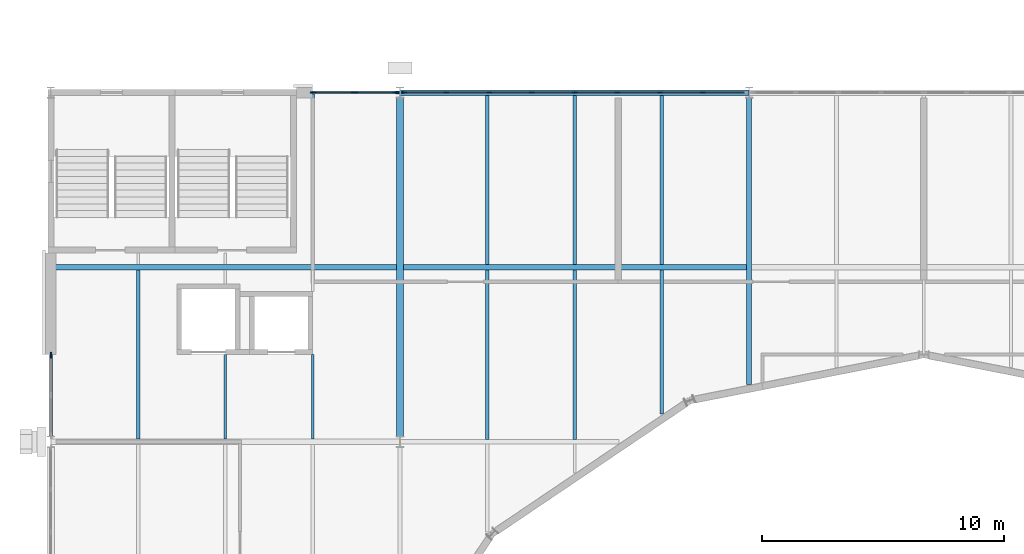
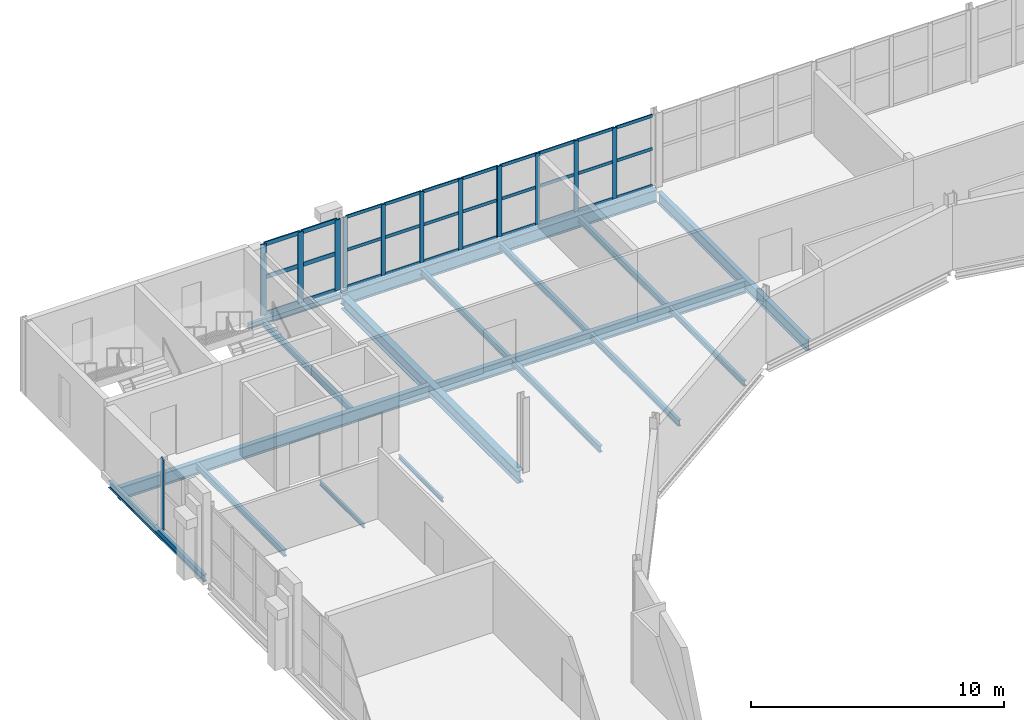
# One storey, part 40 of 124: 43 members, 17 beams, 4 elements without a shape of their own.
"""IFC4 building model written with IfcOpenShell, lengths in metres."""

import ifcopenshell
import ifcopenshell.guid

model = None  # the IFC model being written
_history = None  # IfcOwnerHistory: only IFC2X3 demands one
_inside = {}  # id of a spatial element -> (the spatial element, [elements in it])
_under = {}  # id of a project, library or spatial element -> (it, [spatial elements below it])
_declared = {}  # id of a project -> (the project, [libraries it declares])
_typed = {}  # id of a type object -> (the type object, [elements of that type])
_made_of = {}  # id of a material, layer set ... -> (it, [elements and type objects made of it])


def new_model(schema):
    """Start an empty IFC model of exactly this schema.

    Asked for "IFC4X3", IfcOpenShell would pick the latest addendum, in which some entities
    have other attributes; the version numbers below select the first issue.
    IFC2X3 requires an IfcOwnerHistory on every rooted entity: one is made here for all.
    """
    global model, _history
    if schema == "IFC4X3":
        model = ifcopenshell.file(schema_version=(4, 3, 0, 0))
    else:
        model = ifcopenshell.file(schema=schema)
    _inside.clear()
    _under.clear()
    _declared.clear()
    _typed.clear()
    _made_of.clear()
    _history = None
    if model.schema == "IFC2X3":
        org = make("IfcOrganization", Name="unknown")
        user = make(
            "IfcPersonAndOrganization",
            ThePerson=make("IfcPerson", FamilyName="unknown"),
            TheOrganization=org,
        )
        app = make(
            "IfcApplication",
            ApplicationDeveloper=org,
            Version="unknown",
            ApplicationFullName="unknown",
            ApplicationIdentifier="unknown",
        )
        _history = make(
            "IfcOwnerHistory",
            OwningUser=user,
            OwningApplication=app,
            ChangeAction="ADDED",
            CreationDate=0,
        )
    return model


def make(cls, **values):
    """One entity of the class cls with the attributes given. An attribute that is None is left unset."""
    return model.create_entity(
        cls, **{name: value for name, value in values.items() if value is not None}
    )


def rooted(cls, **values):
    """An entity with a GlobalId (a new one), such as an element, a storey or a relation."""
    return make(cls, GlobalId=ifcopenshell.guid.new(), OwnerHistory=_history, **values)


def si_unit(unit_type, name, prefix=None):
    """IfcSIUnit, for example si_unit("LENGTHUNIT", "METRE", prefix="MILLI")."""
    return make("IfcSIUnit", UnitType=unit_type, Prefix=prefix, Name=name)


def assignment(units):
    """IfcUnitAssignment: the units of a project."""
    return None if units is None else make("IfcUnitAssignment", Units=units)


def point(xyz):
    """IfcCartesianPoint."""
    return None if xyz is None else make("IfcCartesianPoint", Coordinates=xyz)


def direction(xyz):
    """IfcDirection."""
    return None if xyz is None else make("IfcDirection", DirectionRatios=xyz)


def frame(location, z_axis=None, x_axis=None):
    """IfcAxis2Placement3D, a coordinate frame: its origin and axes. An axis left out is left unset."""
    return make(
        "IfcAxis2Placement3D",
        Location=point(location),
        Axis=direction(z_axis),
        RefDirection=direction(x_axis),
    )


def frame_2d(location, x_axis=None):
    """IfcAxis2Placement2D, a coordinate frame in the plane: its origin and x axis."""
    return make(
        "IfcAxis2Placement2D", Location=point(location), RefDirection=direction(x_axis)
    )


def origin():
    """The frame at (0, 0, 0) with its axes left unset."""
    return frame((0.0, 0.0, 0.0))


def origin_2d():
    """The frame at (0, 0) in the plane with its x axis left unset."""
    return frame_2d((0.0, 0.0))


def place(relative_to, where):
    """IfcLocalPlacement: puts the frame where relative to a parent placement (None: the world)."""
    return make(
        "IfcLocalPlacement", PlacementRelTo=relative_to, RelativePlacement=where
    )


def context(
    kind, dimensions, precision=None, world=None, true_north=None, identifier=None
):
    """IfcGeometricRepresentationContext, for example the 3D "Model" context."""
    return make(
        "IfcGeometricRepresentationContext",
        ContextIdentifier=identifier,
        ContextType=kind,
        CoordinateSpaceDimension=dimensions,
        Precision=precision,
        WorldCoordinateSystem=world,
        TrueNorth=true_north,
    )


def subcontext(parent, identifier, kind, view, scale=None):
    """IfcGeometricRepresentationSubContext, for example "Body" below "Model"."""
    return make(
        "IfcGeometricRepresentationSubContext",
        ContextIdentifier=identifier,
        ContextType=kind,
        ParentContext=parent,
        TargetScale=scale,
        TargetView=view,
    )


def project(units=None, contexts=None):
    """IfcProject with its units and contexts."""
    return rooted(
        "IfcProject",
        Name="project",
        RepresentationContexts=contexts,
        UnitsInContext=assignment(units),
    )


def spatial(cls, under=None, at=None, **own):
    """A site, building, storey or space (cls), placed at a placement, below another one or the project."""
    s = rooted(cls, ObjectPlacement=at, **own)
    if under is not None:
        _under.setdefault(under.id(), (under, []))[1].append(s)
    return s


def profile(cls, at=None, kind="AREA", **sizes):
    """A parametric profile (cls). Its sizes go by their IFC names, for example OverallWidth=200.0."""
    return make(cls, ProfileType=kind, Position=at, **sizes)


def rectangle(**sizes):
    """IfcRectangleProfileDef."""
    return profile("IfcRectangleProfileDef", **sizes)


def i_section(**sizes):
    """IfcIShapeProfileDef."""
    return profile("IfcIShapeProfileDef", **sizes)


def extrude(swept, where, along, depth):
    """IfcExtrudedAreaSolid: the profile swept, set in the frame where, extruded along a direction by depth."""
    return make(
        "IfcExtrudedAreaSolid",
        SweptArea=swept,
        Position=where,
        ExtrudedDirection=direction(along),
        Depth=depth,
    )


def shape(context_of_items, identifier, shape_type, items):
    """IfcShapeRepresentation: the items that make up one representation, for example the "Body"."""
    return make(
        "IfcShapeRepresentation",
        ContextOfItems=context_of_items,
        RepresentationIdentifier=identifier,
        RepresentationType=shape_type,
        Items=items,
    )


def material(Name=None, Category=None):
    """IfcMaterial."""
    return make("IfcMaterial", Name=Name, Category=Category)


def material_profile(
    of_material, cross_section, Name=None, Category=None, Priority=None
):
    """IfcMaterialProfile: a cross section and its material."""
    return make(
        "IfcMaterialProfile",
        Name=Name,
        Material=of_material,
        Profile=cross_section,
        Priority=Priority,
        Category=Category,
    )


def profile_set(profiles, Name=None, composite=None):
    """IfcMaterialProfileSet."""
    return make(
        "IfcMaterialProfileSet",
        Name=Name,
        MaterialProfiles=profiles,
        CompositeProfile=composite,
    )


def made_of(thing, what):
    """Note that an element or type object is made of a material, layer set ...; save() writes the relation."""
    if what is not None:
        _made_of.setdefault(what.id(), (what, []))[1].append(thing)
    return thing


def type_object(cls, material=None, **own):
    """A type object (cls), such as IfcWallType, which elements share."""
    return made_of(rooted(cls, **own), material)


def element(
    cls,
    number,
    at=None,
    inside=None,
    cuts=None,
    type_object=None,
    material=None,
    context=None,
    identifier="Body",
    shape_type=None,
    held_by="IfcProductDefinitionShape",
    body=None,
    shapes=None,
    **own,
):
    """One element of the class cls, such as IfcWall. Its Tag is "e" and its number.

    at: its placement. inside: the storey or other place that contains it. cuts: it is an
    opening in that element (IfcRelVoidsElement). A single representation is given by context,
    identifier, shape_type and body (its items); several are given by shapes. held_by: the class
    of the entity that holds the representations. save() writes the other relations.
    """
    e = rooted(cls, Tag="e%d" % number, ObjectPlacement=at, **own)
    if body is not None:
        shapes = [shape(context, identifier, shape_type, body)]
    if shapes is not None:
        e.Representation = make(held_by, Representations=shapes)
    if inside is not None:
        _inside.setdefault(inside.id(), (inside, []))[1].append(e)
    if cuts is not None:
        rooted(
            "IfcRelVoidsElement", RelatingBuildingElement=cuts, RelatedOpeningElement=e
        )
    if type_object is not None:
        _typed.setdefault(type_object.id(), (type_object, []))[1].append(e)
    return made_of(e, material)


def aggregate(whole, parts):
    """IfcRelAggregates: a whole, such as a stair, and the parts it consists of."""
    return rooted("IfcRelAggregates", RelatingObject=whole, RelatedObjects=parts)


def save(model, path):
    """Write the relations noted so far, then the file.

    IfcRelAggregates (storeys below a building ...), IfcRelContainedInSpatialStructure (elements
    in a storey), IfcRelDefinesByType, IfcRelAssociatesMaterial and IfcRelDeclares: one each for
    every whole, place, type object, material and project.
    """
    for whole, parts in _under.values():
        aggregate(whole, parts)
    for where, things in _inside.values():
        rooted(
            "IfcRelContainedInSpatialStructure",
            RelatedElements=things,
            RelatingStructure=where,
        )
    for kind, things in _typed.values():
        rooted("IfcRelDefinesByType", RelatedObjects=things, RelatingType=kind)
    for what, things in _made_of.values():
        rooted("IfcRelAssociatesMaterial", RelatedObjects=things, RelatingMaterial=what)
    for by, libraries in _declared.values():
        rooted("IfcRelDeclares", RelatingContext=by, RelatedDefinitions=libraries)
    model.write(path)


model = new_model("IFC4")

# Units and contexts
model_context = context("Model", 3, precision=1e-05, world=origin(), true_north=direction((0.0, 1.0)))
body_context = subcontext(model_context, "Body", "Model", "MODEL_VIEW")
ifc_project = project(units=[si_unit("LENGTHUNIT", "METRE"), si_unit("AREAUNIT", "SQUARE_METRE"), si_unit("VOLUMEUNIT", "CUBIC_METRE"), si_unit("PLANEANGLEUNIT", "RADIAN"), si_unit("MASSUNIT", "GRAM", prefix="KILO")], contexts=[model_context])

# Site, building, storey
site_placement = place(None, origin())
site = spatial("IfcSite", under=ifc_project, at=site_placement, CompositionType="ELEMENT")
building_placement = place(site_placement, origin())
building = spatial("IfcBuilding", under=site, at=building_placement, Name="Kupolbacken Congress Centre", CompositionType="ELEMENT")
storey_placement = place(building_placement, frame((0.0, 0.0, 10.800048828125)))
storey = spatial("IfcBuildingStorey", under=building, at=storey_placement, Name="L03", CompositionType="ELEMENT", Elevation=10.800048828125)

# Beams
ifc_material_1 = material(Name="Steel S355", Category="steel")
ifc_material_profile_1 = material_profile(ifc_material_1, i_section(OverallWidth=0.10009765625, OverallDepth=0.199951171875, WebThickness=0.005615234375, FlangeThickness=0.008544921875, FilletRadius=0.011962890625, at=origin_2d()), Name="IPE 200")
ifc_profile_set_1 = profile_set([ifc_material_profile_1], Name="Steel S355")
beam_type_1 = type_object("IfcBeamType", Name="B01 beam IPE 200", PredefinedType="BEAM", material=ifc_profile_set_1)
for number, where, z_axis, x_axis, name in (
    (1, (14.39990234375, 108.110107421875, -0.280029296875), (0.0, 1.0, 0.0), (-1.0, 0.0, 0.0), "S/floor/P/L03/S093"),
    (2, (18.0, 108.110107421875, -0.280029296875), (0.0, 1.0, 0.0), (-1.0, 0.0, 0.0), "S/floor/P/L03/S170"),
):
    element("IfcBeam", number, at=place(storey_placement, frame(where, z_axis=z_axis, x_axis=x_axis)), inside=storey, type_object=beam_type_1, Name=name, PredefinedType="BEAM", context=body_context, shape_type="SweptSolid", body=[
        extrude(i_section(OverallWidth=0.10009765625, OverallDepth=0.199951171875, WebThickness=0.005615234375, FlangeThickness=0.008544921875, FilletRadius=0.011962890625, at=origin_2d()), origin(), (0.0, 0.0, 1.0), 3.489990234375),
    ])
ifc_material_2 = material(Name="Steel S355", Category="steel")
ifc_material_profile_2 = material_profile(ifc_material_2, i_section(OverallWidth=0.135009765625, OverallDepth=0.27001953125, WebThickness=0.006591796875, FlangeThickness=0.01025390625, FilletRadius=0.014892578125, at=origin_2d()), Name="IPE 270")
ifc_profile_set_2 = profile_set([ifc_material_profile_2], Name="Steel S355")
beam_type_2 = type_object("IfcBeamType", Name="B03 beam IPE 270", PredefinedType="BEAM", material=ifc_profile_set_2)
beam_1_placement = place(storey_placement, frame((17.324951171875, 122.39990234375, -0.31494140625), z_axis=(1.0, 0.0, 0.0), x_axis=(0.0, 1.0, 0.0)))
element("IfcBeam", 3, at=beam_1_placement, inside=storey, type_object=beam_type_2, Name="S/floor/P/L03/R070", PredefinedType="BEAM", context=body_context, shape_type="SweptSolid", body=[
    extrude(i_section(OverallWidth=0.135009765625, OverallDepth=0.27001953125, WebThickness=0.006591796875, FlangeThickness=0.01025390625, FilletRadius=0.014892578125, at=origin_2d()), origin(), (0.0, 0.0, 1.0), 4.26806640625),
])
beam_2_placement = place(storey_placement, frame((32.39990234375, 109.150390625, -0.31494140625), z_axis=(0.0, 1.0, 0.0), x_axis=(-1.0, 0.0, 0.0)))
element("IfcBeam", 4, at=beam_2_placement, inside=storey, type_object=beam_type_2, Name="S/floor/P/L03/S110", PredefinedType="BEAM", context=body_context, shape_type="SweptSolid", body=[
    extrude(i_section(OverallWidth=0.135009765625, OverallDepth=0.27001953125, WebThickness=0.006591796875, FlangeThickness=0.01025390625, FilletRadius=0.014892578125, at=origin_2d()), origin(), (0.0, 0.0, 1.0), 5.939697265625),
])
ifc_material_3 = material(Name="Steel S355", Category="steel")
ifc_material_profile_3 = material_profile(ifc_material_3, i_section(OverallWidth=0.14990234375, OverallDepth=0.300048828125, WebThickness=0.007080078125, FlangeThickness=0.0107421875, FilletRadius=0.014892578125, at=origin_2d()), Name="IPE 300")
ifc_profile_set_3 = profile_set([ifc_material_profile_3], Name="Steel S355")
beam_type_3 = type_object("IfcBeamType", Name="B04 beam IPE 300", PredefinedType="BEAM", material=ifc_profile_set_3)
beam_3_placement = place(storey_placement, frame((10.800048828125, 108.110107421875, -0.330078125), z_axis=(0.0, 1.0, 0.0), x_axis=(-1.0, 0.0, 0.0)))
element("IfcBeam", 5, at=beam_3_placement, inside=storey, type_object=beam_type_3, Name="S/floor/P/L03/S083", PredefinedType="BEAM", context=body_context, shape_type="SweptSolid", body=[
    extrude(i_section(OverallWidth=0.14990234375, OverallDepth=0.300048828125, WebThickness=0.007080078125, FlangeThickness=0.0107421875, FilletRadius=0.014892578125, at=origin_2d()), origin(), (0.0, 0.0, 1.0), 6.97998046875),
])
beam_4_placement = place(storey_placement, frame((25.199951171875, 108.090087890625, -0.330078125), z_axis=(0.0, 1.0, 0.0), x_axis=(-1.0, 0.0, 0.0)))
element("IfcBeam", 6, at=beam_4_placement, inside=storey, type_object=beam_type_3, Name="S/floor/P/L03/S100", PredefinedType="BEAM", context=body_context, shape_type="SweptSolid", body=[
    extrude(i_section(OverallWidth=0.14990234375, OverallDepth=0.300048828125, WebThickness=0.007080078125, FlangeThickness=0.0107421875, FilletRadius=0.014892578125, at=origin_2d()), origin(), (0.0, 0.0, 1.0), 7.0),
])
beam_5_placement = place(storey_placement, frame((25.199951171875, 115.31005859375, -0.330078125), z_axis=(0.0, 1.0, 0.0), x_axis=(-1.0, 0.0, 0.0)))
element("IfcBeam", 7, at=beam_5_placement, inside=storey, type_object=beam_type_3, Name="S/floor/P/L03/S101", PredefinedType="BEAM", context=body_context, shape_type="SweptSolid", body=[
    extrude(i_section(OverallWidth=0.14990234375, OverallDepth=0.300048828125, WebThickness=0.007080078125, FlangeThickness=0.0107421875, FilletRadius=0.014892578125, at=origin_2d()), origin(), (0.0, 0.0, 1.0), 6.97998046875),
])
beam_6_placement = place(storey_placement, frame((28.800048828125, 108.090087890625, -0.330078125), z_axis=(0.0, 1.0, 0.0), x_axis=(-1.0, 0.0, 0.0)))
element("IfcBeam", 8, at=beam_6_placement, inside=storey, type_object=beam_type_3, Name="S/floor/P/L03/S106", PredefinedType="BEAM", context=body_context, shape_type="SweptSolid", body=[
    extrude(i_section(OverallWidth=0.14990234375, OverallDepth=0.300048828125, WebThickness=0.007080078125, FlangeThickness=0.0107421875, FilletRadius=0.014892578125, at=origin_2d()), origin(), (0.0, 0.0, 1.0), 7.0),
])
for number, where, z_axis, x_axis, name in (
    (9, (28.800048828125, 115.31005859375, -0.330078125), (0.0, 1.0, 0.0), (-1.0, 0.0, 0.0), "S/floor/P/L03/S107"),
    (10, (32.39990234375, 115.31005859375, -0.330078125), (0.0, 1.0, 0.0), (-1.0, 0.0, 0.0), "S/floor/P/L03/S111"),
):
    element("IfcBeam", number, at=place(storey_placement, frame(where, z_axis=z_axis, x_axis=x_axis)), inside=storey, type_object=beam_type_3, Name=name, PredefinedType="BEAM", context=body_context, shape_type="SweptSolid", body=[
        extrude(i_section(OverallWidth=0.14990234375, OverallDepth=0.300048828125, WebThickness=0.007080078125, FlangeThickness=0.0107421875, FilletRadius=0.014892578125, at=origin_2d()), origin(), (0.0, 0.0, 1.0), 6.97998046875),
    ])
beam_7_placement = place(storey_placement, frame((18.0, 115.31005859375, -0.330078125), z_axis=(0.0, 1.0, 0.0), x_axis=(-1.0, 0.0, 0.0)))
element("IfcBeam", 11, at=beam_7_placement, inside=storey, type_object=beam_type_3, Name="S/floor/P/L03/S172", PredefinedType="BEAM", context=body_context, shape_type="SweptSolid", body=[
    extrude(i_section(OverallWidth=0.14990234375, OverallDepth=0.300048828125, WebThickness=0.007080078125, FlangeThickness=0.0107421875, FilletRadius=0.014892578125, at=origin_2d()), origin(), (0.0, 0.0, 1.0), 7.0224609375),
])
ifc_material_4 = material(Name="Steel S355", Category="steel")
ifc_material_profile_4 = material_profile(ifc_material_4, i_section(OverallWidth=0.159912109375, OverallDepth=0.330078125, WebThickness=0.007568359375, FlangeThickness=0.011474609375, FilletRadius=0.01806640625, at=origin_2d()), Name="IPE 330")
ifc_profile_set_4 = profile_set([ifc_material_profile_4], Name="Steel S355")
beam_type_4 = type_object("IfcBeamType", Name="B05 beam IPE 330", PredefinedType="BEAM", material=ifc_profile_set_4)
beam_8_placement = place(storey_placement, frame((7.199951171875, 108.22509765625, -0.344970703125), z_axis=(0.0, 1.0, 0.0), x_axis=(-1.0, 0.0, 0.0)))
element("IfcBeam", 12, at=beam_8_placement, inside=storey, type_object=beam_type_4, Name="S/floor/P/L03/G021", PredefinedType="BEAM", context=body_context, shape_type="SweptSolid", body=[
    extrude(i_section(OverallWidth=0.159912109375, OverallDepth=0.330078125, WebThickness=0.007568359375, FlangeThickness=0.011474609375, FilletRadius=0.01806640625, at=origin_2d()), origin(), (0.0, 0.0, 1.0), 7.5498046875),
])
ifc_material_5 = material(Name="Steel S355", Category="steel")
ifc_material_profile_5 = material_profile(ifc_material_5, i_section(OverallWidth=0.2099609375, OverallDepth=0.550048828125, WebThickness=0.010986328125, FlangeThickness=0.01708984375, FilletRadius=0.02392578125, at=origin_2d()), Name="IPE 550")
ifc_profile_set_5 = profile_set([ifc_material_profile_5], Name="Steel S355")
beam_type_5 = type_object("IfcBeamType", Name="B10 beam IPE 550", PredefinedType="BEAM", material=ifc_profile_set_5)
beam_9_placement = place(storey_placement, frame((36.0, 110.35595703125, -0.455078125), z_axis=(0.0, 1.0, 0.0), x_axis=(-1.0, 0.0, 0.0)))
element("IfcBeam", 13, at=beam_9_placement, inside=storey, type_object=beam_type_5, Name="S/floor/P/L03/G026", PredefinedType="BEAM", context=body_context, shape_type="SweptSolid", body=[
    extrude(i_section(OverallWidth=0.2099609375, OverallDepth=0.550048828125, WebThickness=0.010986328125, FlangeThickness=0.01708984375, FilletRadius=0.02392578125, at=origin_2d()), origin(), (0.0, 0.0, 1.0), 11.819091796875),
])
ifc_material_6 = material(Name="Steel S355", Category="steel")
ifc_material_profile_6 = material_profile(ifc_material_6, i_section(OverallWidth=0.219970703125, OverallDepth=0.60009765625, WebThickness=0.011962890625, FlangeThickness=0.01904296875, FilletRadius=0.02392578125, at=origin_2d()), Name="IPE 600")
ifc_profile_set_6 = profile_set([ifc_material_profile_6], Name="Steel S355")
beam_type_6 = type_object("IfcBeamType", Name="B11 beam IPE 600", PredefinedType="BEAM", material=ifc_profile_set_6)
beam_10_placement = place(storey_placement, frame((7.280029296875, 115.199951171875, -0.47998046875), z_axis=(1.0, 0.0, 0.0), x_axis=(0.0, 1.0, 0.0)))
element("IfcBeam", 14, at=beam_10_placement, inside=storey, type_object=beam_type_6, Name="S/floor/P/L03/R065", PredefinedType="BEAM", context=body_context, shape_type="SweptSolid", body=[
    extrude(i_section(OverallWidth=0.219970703125, OverallDepth=0.60009765625, WebThickness=0.011962890625, FlangeThickness=0.01904296875, FilletRadius=0.02392578125, at=origin_2d()), origin(), (0.0, 0.0, 1.0), 14.169921875),
])
beam_11_placement = place(storey_placement, frame((21.75, 115.199951171875, -0.47998046875), z_axis=(1.0, 0.0, 0.0), x_axis=(0.0, 1.0, 0.0)))
element("IfcBeam", 15, at=beam_11_placement, inside=storey, type_object=beam_type_6, Name="S/floor/P/L03/R066", PredefinedType="BEAM", context=body_context, shape_type="SweptSolid", body=[
    extrude(i_section(OverallWidth=0.219970703125, OverallDepth=0.60009765625, WebThickness=0.011962890625, FlangeThickness=0.01904296875, FilletRadius=0.02392578125, at=origin_2d()), origin(), (0.0, 0.0, 1.0), 14.14501953125),
])
beam_12_placement = place(storey_placement, frame((21.60693359375, 122.39990234375, -0.47998046875), z_axis=(1.0, 0.0, 0.0), x_axis=(0.0, 1.0, 0.0)))
element("IfcBeam", 16, at=beam_12_placement, inside=storey, type_object=beam_type_6, Name="S/floor/P/L03/R071", PredefinedType="BEAM", context=body_context, shape_type="SweptSolid", body=[
    extrude(i_section(OverallWidth=0.219970703125, OverallDepth=0.60009765625, WebThickness=0.011962890625, FlangeThickness=0.01904296875, FilletRadius=0.02392578125, at=origin_2d()), origin(), (0.0, 0.0, 1.0), 14.385986328125),
])
ifc_material_7 = material(Name="Steel S355", Category="steel")
ifc_material_profile_7 = material_profile(ifc_material_7, i_section(OverallWidth=0.300048828125, OverallDepth=0.60009765625, WebThickness=0.015380859375, FlangeThickness=0.030029296875, FilletRadius=0.027099609375, at=origin_2d()), Name="HEB 600")
ifc_profile_set_7 = profile_set([ifc_material_profile_7], Name="Steel S355")
beam_type_7 = type_object("IfcBeamType", Name="B15 beam HEB 600", PredefinedType="BEAM", material=ifc_profile_set_7)
beam_13_placement = place(storey_placement, frame((21.60009765625, 108.22509765625, -0.47998046875), z_axis=(0.0, 1.0, 0.0), x_axis=(-1.0, 0.0, 0.0)))
element("IfcBeam", 17, at=beam_13_placement, inside=storey, type_object=beam_type_7, Name="S/floor/P/L03/G024", PredefinedType="BEAM", context=body_context, shape_type="SweptSolid", body=[
    extrude(i_section(OverallWidth=0.300048828125, OverallDepth=0.60009765625, WebThickness=0.015380859375, FlangeThickness=0.030029296875, FilletRadius=0.027099609375, at=origin_2d()), origin(), (0.0, 0.0, 1.0), 13.949951171875),
])

# Curtain wall, members
ifc_material_8 = material(Name="Aluminium mullion-transom frame with glass", Category="aluminium")
curtain_wall_type_1 = type_object("IfcCurtainWallType", Name="CW1 curtain wall 7200x3600", PredefinedType="NOTDEFINED", material=ifc_material_8)
curtain_wall_1_placement = place(storey_placement, origin())
curtain_wall_1 = element("IfcCurtainWall", 18, at=curtain_wall_1_placement, inside=storey, type_object=curtain_wall_type_1, Name="E/P/N/L03/378", PredefinedType="NOTDEFINED")
ifc_material_9 = material(Name="Aluminium alloy", Category="aluminium")
ifc_material_profile_8 = material_profile(ifc_material_9, rectangle(XDim=0.050048828125, YDim=0.199951171875, at=origin_2d()), Name="50 x 200")
ifc_profile_set_8 = profile_set([ifc_material_profile_8], Name="Aluminium alloy")
member_type_1 = type_object("IfcMemberType", Name="MU2 mullion 50x200", PredefinedType="MULLION", material=ifc_profile_set_8)
member_1_placement = place(storey_placement, frame((34.08740234375, 122.39990234375, 0.0), z_axis=(0.0, 0.0, 1.0), x_axis=(0.0, -1.0, 0.0)))
member_1 = element("IfcMember", 19, at=member_1_placement, type_object=member_type_1, Name="CW1 mullion 2", PredefinedType="MULLION", context=body_context, shape_type="SweptSolid", body=[
    extrude(rectangle(XDim=0.050048828125, YDim=0.199951171875, at=origin_2d()), origin(), (0.0, 0.0, 1.0), 3.419921875),
])
member_2_placement = place(storey_placement, frame((32.324951171875, 122.39990234375, 0.0), z_axis=(0.0, 0.0, 1.0), x_axis=(0.0, -1.0, 0.0)))
member_2 = element("IfcMember", 20, at=member_2_placement, type_object=member_type_1, Name="CW1 mullion 3", PredefinedType="MULLION", context=body_context, shape_type="SweptSolid", body=[
    extrude(rectangle(XDim=0.050048828125, YDim=0.199951171875, at=origin_2d()), origin(), (0.0, 0.0, 1.0), 3.419921875),
])
member_3_placement = place(storey_placement, frame((30.5625, 122.39990234375, 0.0), z_axis=(0.0, 0.0, 1.0), x_axis=(0.0, -1.0, 0.0)))
member_3 = element("IfcMember", 21, at=member_3_placement, type_object=member_type_1, Name="CW1 mullion 4", PredefinedType="MULLION", context=body_context, shape_type="SweptSolid", body=[
    extrude(rectangle(XDim=0.050048828125, YDim=0.199951171875, at=origin_2d()), origin(), (0.0, 0.0, 1.0), 3.419921875),
])
member_4_placement = place(storey_placement, frame((28.824951171875, 122.39990234375, 0.0), z_axis=(0.0, 0.0, 1.0), x_axis=(0.0, -1.0, 0.0)))
member_4 = element("IfcMember", 22, at=member_4_placement, type_object=member_type_1, Name="CW1 mullion 5", PredefinedType="MULLION", context=body_context, shape_type="SweptSolid", body=[
    extrude(rectangle(XDim=0.050048828125, YDim=0.199951171875, at=origin_2d()), origin(), (0.0, 0.0, 1.0), 3.419921875),
])

curtain_wall_2_placement = place(storey_placement, origin())
curtain_wall_2 = element("IfcCurtainWall", 23, at=curtain_wall_2_placement, inside=storey, type_object=curtain_wall_type_1, Name="E/P/N/L03/379", PredefinedType="NOTDEFINED")
member_5_placement = place(storey_placement, frame((28.77490234375, 122.39990234375, 0.0), z_axis=(0.0, 0.0, 1.0), x_axis=(0.0, -1.0, 0.0)))
member_5 = element("IfcMember", 24, at=member_5_placement, type_object=member_type_1, Name="CW1 mullion 1", PredefinedType="MULLION", context=body_context, shape_type="SweptSolid", body=[
    extrude(rectangle(XDim=0.050048828125, YDim=0.199951171875, at=origin_2d()), origin(), (0.0, 0.0, 1.0), 3.419921875),
])
member_6_placement = place(storey_placement, frame((27.03759765625, 122.39990234375, 0.0), z_axis=(0.0, 0.0, 1.0), x_axis=(0.0, -1.0, 0.0)))
member_6 = element("IfcMember", 25, at=member_6_placement, type_object=member_type_1, Name="CW1 mullion 2", PredefinedType="MULLION", context=body_context, shape_type="SweptSolid", body=[
    extrude(rectangle(XDim=0.050048828125, YDim=0.199951171875, at=origin_2d()), origin(), (0.0, 0.0, 1.0), 3.419921875),
])
member_7_placement = place(storey_placement, frame((25.27490234375, 122.39990234375, 0.0), z_axis=(0.0, 0.0, 1.0), x_axis=(0.0, -1.0, 0.0)))
member_7 = element("IfcMember", 26, at=member_7_placement, type_object=member_type_1, Name="CW1 mullion 3", PredefinedType="MULLION", context=body_context, shape_type="SweptSolid", body=[
    extrude(rectangle(XDim=0.050048828125, YDim=0.199951171875, at=origin_2d()), origin(), (0.0, 0.0, 1.0), 3.419921875),
])
member_8_placement = place(storey_placement, frame((23.512451171875, 122.39990234375, 0.0), z_axis=(0.0, 0.0, 1.0), x_axis=(0.0, -1.0, 0.0)))
member_8 = element("IfcMember", 27, at=member_8_placement, type_object=member_type_1, Name="CW1 mullion 4", PredefinedType="MULLION", context=body_context, shape_type="SweptSolid", body=[
    extrude(rectangle(XDim=0.050048828125, YDim=0.199951171875, at=origin_2d()), origin(), (0.0, 0.0, 1.0), 3.419921875),
])
member_9_placement = place(storey_placement, frame((21.77490234375, 122.39990234375, 0.0), z_axis=(0.0, 0.0, 1.0), x_axis=(0.0, -1.0, 0.0)))
member_9 = element("IfcMember", 28, at=member_9_placement, type_object=member_type_1, Name="CW1 mullion 5", PredefinedType="MULLION", context=body_context, shape_type="SweptSolid", body=[
    extrude(rectangle(XDim=0.050048828125, YDim=0.199951171875, at=origin_2d()), origin(), (0.0, 0.0, 1.0), 3.419921875),
])

ifc_material_10 = material(Name="Aluminium mullion-transom frame with glass", Category="aluminium")
curtain_wall_type_2 = type_object("IfcCurtainWallType", Name="CW2 curtain wall 3600x3600", PredefinedType="NOTDEFINED", material=ifc_material_10)
curtain_wall_3_placement = place(storey_placement, origin())
curtain_wall_3 = element("IfcCurtainWall", 29, at=curtain_wall_3_placement, inside=storey, type_object=curtain_wall_type_2, Name="E/P/N/L03/380", PredefinedType="NOTDEFINED")
ifc_material_11 = material(Name="Aluminium alloy", Category="aluminium")
ifc_material_profile_9 = material_profile(ifc_material_11, rectangle(XDim=0.06005859375, YDim=0.25, at=origin_2d()), Name="60 x 250")
ifc_profile_set_9 = profile_set([ifc_material_profile_9], Name="Aluminium alloy")
member_type_2 = type_object("IfcMemberType", Name="MU3 mullion 60x250", PredefinedType="MULLION", material=ifc_profile_set_9)
member_10_placement = place(storey_placement, frame((21.419921875, 122.39990234375, 0.0), z_axis=(0.0, 0.0, 1.0), x_axis=(0.0, -1.0, 0.0)))
member_10 = element("IfcMember", 30, at=member_10_placement, type_object=member_type_2, Name="CW2 mullion 1", PredefinedType="MULLION", context=body_context, shape_type="SweptSolid", body=[
    extrude(rectangle(XDim=0.06005859375, YDim=0.25, at=origin_2d()), origin(), (0.0, 0.0, 1.0), 3.419921875),
])
member_11_placement = place(storey_placement, frame((19.72509765625, 122.39990234375, 0.0), z_axis=(0.0, 0.0, 1.0), x_axis=(0.0, -1.0, 0.0)))
member_11 = element("IfcMember", 31, at=member_11_placement, type_object=member_type_2, Name="CW2 mullion 2", PredefinedType="MULLION", context=body_context, shape_type="SweptSolid", body=[
    extrude(rectangle(XDim=0.06005859375, YDim=0.25, at=origin_2d()), origin(), (0.0, 0.0, 1.0), 3.419921875),
])
member_12_placement = place(storey_placement, frame((18.030029296875, 122.39990234375, 0.0), z_axis=(0.0, 0.0, 1.0), x_axis=(0.0, -1.0, 0.0)))
member_12 = element("IfcMember", 32, at=member_12_placement, type_object=member_type_2, Name="CW2 mullion 3", PredefinedType="MULLION", context=body_context, shape_type="SweptSolid", body=[
    extrude(rectangle(XDim=0.06005859375, YDim=0.25, at=origin_2d()), origin(), (0.0, 0.0, 1.0), 3.419921875),
])

# Curtain wall, member
curtain_wall_4_placement = place(storey_placement, origin())
curtain_wall_4 = element("IfcCurtainWall", 33, at=curtain_wall_4_placement, inside=storey, type_object=curtain_wall_type_2, Name="E/P/W/L03/386", PredefinedType="NOTDEFINED")
member_13_placement = place(storey_placement, frame((7.199951171875, 111.570068359375, 0.0), z_axis=(0.0, 0.0, 1.0), x_axis=(1.0, 0.0, 0.0)))
member_13 = element("IfcMember", 34, at=member_13_placement, type_object=member_type_2, Name="CW2 mullion 1", PredefinedType="MULLION", context=body_context, shape_type="SweptSolid", body=[
    extrude(rectangle(XDim=0.06005859375, YDim=0.25, at=origin_2d()), origin(), (0.0, 0.0, 1.0), 3.419921875),
])
aggregate(curtain_wall_4, [member_13])

# Member
ifc_material_12 = material(Name="Aluminium alloy", Category="aluminium")
ifc_material_profile_10 = material_profile(ifc_material_12, rectangle(XDim=0.050048828125, YDim=0.14990234375, at=origin_2d()), Name="50 x 150")
ifc_profile_set_10 = profile_set([ifc_material_profile_10], Name="Aluminium alloy")
member_type_3 = type_object("IfcMemberType", Name="TR2 transom 50x150", PredefinedType="MULLION", material=ifc_profile_set_10)
member_14_placement = place(storey_placement, frame((35.800048828125, 122.39990234375, 0.02490234375), z_axis=(-1.0, 0.0, 0.0), x_axis=(0.0, -1.0, 0.0)))
member_14 = element("IfcMember", 35, at=member_14_placement, type_object=member_type_3, Name="CW1 transom 1.1", PredefinedType="MULLION", context=body_context, shape_type="SweptSolid", body=[
    extrude(rectangle(XDim=0.050048828125, YDim=0.14990234375, at=origin_2d()), origin(), (0.0, 0.0, 1.0), 1.6875),
])

member_15_placement = place(storey_placement, frame((35.800048828125, 122.39990234375, 1.800048828125), z_axis=(-1.0, 0.0, 0.0), x_axis=(0.0, -1.0, 0.0)))
member_15 = element("IfcMember", 36, at=member_15_placement, type_object=member_type_3, Name="CW1 transom 1.2", PredefinedType="MULLION", context=body_context, shape_type="SweptSolid", body=[
    extrude(rectangle(XDim=0.050048828125, YDim=0.14990234375, at=origin_2d()), origin(), (0.0, 0.0, 1.0), 1.6875),
])

member_16_placement = place(storey_placement, frame((35.800048828125, 122.39990234375, 3.39501953125), z_axis=(-1.0, 0.0, 0.0), x_axis=(0.0, -1.0, 0.0)))
member_16 = element("IfcMember", 37, at=member_16_placement, type_object=member_type_3, Name="CW1 transom 1.3", PredefinedType="MULLION", context=body_context, shape_type="SweptSolid", body=[
    extrude(rectangle(XDim=0.050048828125, YDim=0.14990234375, at=origin_2d()), origin(), (0.0, 0.0, 1.0), 1.6875),
])

member_17_placement = place(storey_placement, frame((34.0625, 122.39990234375, 0.02490234375), z_axis=(-1.0, 0.0, 0.0), x_axis=(0.0, -1.0, 0.0)))
member_17 = element("IfcMember", 38, at=member_17_placement, type_object=member_type_3, Name="CW1 transom 2.1", PredefinedType="MULLION", context=body_context, shape_type="SweptSolid", body=[
    extrude(rectangle(XDim=0.050048828125, YDim=0.14990234375, at=origin_2d()), origin(), (0.0, 0.0, 1.0), 1.71240234375),
])

member_18_placement = place(storey_placement, frame((34.0625, 122.39990234375, 1.800048828125), z_axis=(-1.0, 0.0, 0.0), x_axis=(0.0, -1.0, 0.0)))
member_18 = element("IfcMember", 39, at=member_18_placement, type_object=member_type_3, Name="CW1 transom 2.2", PredefinedType="MULLION", context=body_context, shape_type="SweptSolid", body=[
    extrude(rectangle(XDim=0.050048828125, YDim=0.14990234375, at=origin_2d()), origin(), (0.0, 0.0, 1.0), 1.71240234375),
])

member_19_placement = place(storey_placement, frame((34.0625, 122.39990234375, 3.39501953125), z_axis=(-1.0, 0.0, 0.0), x_axis=(0.0, -1.0, 0.0)))
member_19 = element("IfcMember", 40, at=member_19_placement, type_object=member_type_3, Name="CW1 transom 2.3", PredefinedType="MULLION", context=body_context, shape_type="SweptSolid", body=[
    extrude(rectangle(XDim=0.050048828125, YDim=0.14990234375, at=origin_2d()), origin(), (0.0, 0.0, 1.0), 1.71240234375),
])

member_20_placement = place(storey_placement, frame((32.300048828125, 122.39990234375, 0.02490234375), z_axis=(-1.0, 0.0, 0.0), x_axis=(0.0, -1.0, 0.0)))
member_20 = element("IfcMember", 41, at=member_20_placement, type_object=member_type_3, Name="CW1 transom 3.1", PredefinedType="MULLION", context=body_context, shape_type="SweptSolid", body=[
    extrude(rectangle(XDim=0.050048828125, YDim=0.14990234375, at=origin_2d()), origin(), (0.0, 0.0, 1.0), 1.712646484375),
])

member_21_placement = place(storey_placement, frame((32.300048828125, 122.39990234375, 1.800048828125), z_axis=(-1.0, 0.0, 0.0), x_axis=(0.0, -1.0, 0.0)))
member_21 = element("IfcMember", 42, at=member_21_placement, type_object=member_type_3, Name="CW1 transom 3.2", PredefinedType="MULLION", context=body_context, shape_type="SweptSolid", body=[
    extrude(rectangle(XDim=0.050048828125, YDim=0.14990234375, at=origin_2d()), origin(), (0.0, 0.0, 1.0), 1.712646484375),
])

member_22_placement = place(storey_placement, frame((32.300048828125, 122.39990234375, 3.39501953125), z_axis=(-1.0, 0.0, 0.0), x_axis=(0.0, -1.0, 0.0)))
member_22 = element("IfcMember", 43, at=member_22_placement, type_object=member_type_3, Name="CW1 transom 3.3", PredefinedType="MULLION", context=body_context, shape_type="SweptSolid", body=[
    extrude(rectangle(XDim=0.050048828125, YDim=0.14990234375, at=origin_2d()), origin(), (0.0, 0.0, 1.0), 1.712646484375),
])

member_23_placement = place(storey_placement, frame((30.53759765625, 122.39990234375, 0.02490234375), z_axis=(-1.0, 0.0, 0.0), x_axis=(0.0, -1.0, 0.0)))
member_23 = element("IfcMember", 44, at=member_23_placement, type_object=member_type_3, Name="CW1 transom 4.1", PredefinedType="MULLION", context=body_context, shape_type="SweptSolid", body=[
    extrude(rectangle(XDim=0.050048828125, YDim=0.14990234375, at=origin_2d()), origin(), (0.0, 0.0, 1.0), 1.6875),
])

member_24_placement = place(storey_placement, frame((30.53759765625, 122.39990234375, 1.800048828125), z_axis=(-1.0, 0.0, 0.0), x_axis=(0.0, -1.0, 0.0)))
member_24 = element("IfcMember", 45, at=member_24_placement, type_object=member_type_3, Name="CW1 transom 4.2", PredefinedType="MULLION", context=body_context, shape_type="SweptSolid", body=[
    extrude(rectangle(XDim=0.050048828125, YDim=0.14990234375, at=origin_2d()), origin(), (0.0, 0.0, 1.0), 1.6875),
])

member_25_placement = place(storey_placement, frame((30.53759765625, 122.39990234375, 3.39501953125), z_axis=(-1.0, 0.0, 0.0), x_axis=(0.0, -1.0, 0.0)))
member_25 = element("IfcMember", 46, at=member_25_placement, type_object=member_type_3, Name="CW1 transom 4.3", PredefinedType="MULLION", context=body_context, shape_type="SweptSolid", body=[
    extrude(rectangle(XDim=0.050048828125, YDim=0.14990234375, at=origin_2d()), origin(), (0.0, 0.0, 1.0), 1.6875),
])

aggregate(curtain_wall_1, [member_1, member_2, member_3, member_4, member_14, member_15, member_16, member_17, member_18, member_19, member_20, member_21, member_22, member_23, member_24, member_25])

member_26_placement = place(storey_placement, frame((28.75, 122.39990234375, 0.02490234375), z_axis=(-1.0, 0.0, 0.0), x_axis=(0.0, -1.0, 0.0)))
member_26 = element("IfcMember", 47, at=member_26_placement, type_object=member_type_3, Name="CW1 transom 1.1", PredefinedType="MULLION", context=body_context, shape_type="SweptSolid", body=[
    extrude(rectangle(XDim=0.050048828125, YDim=0.14990234375, at=origin_2d()), origin(), (0.0, 0.0, 1.0), 1.6875),
])

member_27_placement = place(storey_placement, frame((28.75, 122.39990234375, 1.800048828125), z_axis=(-1.0, 0.0, 0.0), x_axis=(0.0, -1.0, 0.0)))
member_27 = element("IfcMember", 48, at=member_27_placement, type_object=member_type_3, Name="CW1 transom 1.2", PredefinedType="MULLION", context=body_context, shape_type="SweptSolid", body=[
    extrude(rectangle(XDim=0.050048828125, YDim=0.14990234375, at=origin_2d()), origin(), (0.0, 0.0, 1.0), 1.6875),
])

member_28_placement = place(storey_placement, frame((28.75, 122.39990234375, 3.39501953125), z_axis=(-1.0, 0.0, 0.0), x_axis=(0.0, -1.0, 0.0)))
member_28 = element("IfcMember", 49, at=member_28_placement, type_object=member_type_3, Name="CW1 transom 1.3", PredefinedType="MULLION", context=body_context, shape_type="SweptSolid", body=[
    extrude(rectangle(XDim=0.050048828125, YDim=0.14990234375, at=origin_2d()), origin(), (0.0, 0.0, 1.0), 1.6875),
])

member_29_placement = place(storey_placement, frame((27.012451171875, 122.39990234375, 0.02490234375), z_axis=(-1.0, 0.0, 0.0), x_axis=(0.0, -1.0, 0.0)))
member_29 = element("IfcMember", 50, at=member_29_placement, type_object=member_type_3, Name="CW1 transom 2.1", PredefinedType="MULLION", context=body_context, shape_type="SweptSolid", body=[
    extrude(rectangle(XDim=0.050048828125, YDim=0.14990234375, at=origin_2d()), origin(), (0.0, 0.0, 1.0), 1.71240234375),
])

member_30_placement = place(storey_placement, frame((27.012451171875, 122.39990234375, 1.800048828125), z_axis=(-1.0, 0.0, 0.0), x_axis=(0.0, -1.0, 0.0)))
member_30 = element("IfcMember", 51, at=member_30_placement, type_object=member_type_3, Name="CW1 transom 2.2", PredefinedType="MULLION", context=body_context, shape_type="SweptSolid", body=[
    extrude(rectangle(XDim=0.050048828125, YDim=0.14990234375, at=origin_2d()), origin(), (0.0, 0.0, 1.0), 1.71240234375),
])

member_31_placement = place(storey_placement, frame((27.012451171875, 122.39990234375, 3.39501953125), z_axis=(-1.0, 0.0, 0.0), x_axis=(0.0, -1.0, 0.0)))
member_31 = element("IfcMember", 52, at=member_31_placement, type_object=member_type_3, Name="CW1 transom 2.3", PredefinedType="MULLION", context=body_context, shape_type="SweptSolid", body=[
    extrude(rectangle(XDim=0.050048828125, YDim=0.14990234375, at=origin_2d()), origin(), (0.0, 0.0, 1.0), 1.71240234375),
])

member_32_placement = place(storey_placement, frame((25.25, 122.39990234375, 0.02490234375), z_axis=(-1.0, 0.0, 0.0), x_axis=(0.0, -1.0, 0.0)))
member_32 = element("IfcMember", 53, at=member_32_placement, type_object=member_type_3, Name="CW1 transom 3.1", PredefinedType="MULLION", context=body_context, shape_type="SweptSolid", body=[
    extrude(rectangle(XDim=0.050048828125, YDim=0.14990234375, at=origin_2d()), origin(), (0.0, 0.0, 1.0), 1.71240234375),
])

member_33_placement = place(storey_placement, frame((25.25, 122.39990234375, 1.800048828125), z_axis=(-1.0, 0.0, 0.0), x_axis=(0.0, -1.0, 0.0)))
member_33 = element("IfcMember", 54, at=member_33_placement, type_object=member_type_3, Name="CW1 transom 3.2", PredefinedType="MULLION", context=body_context, shape_type="SweptSolid", body=[
    extrude(rectangle(XDim=0.050048828125, YDim=0.14990234375, at=origin_2d()), origin(), (0.0, 0.0, 1.0), 1.71240234375),
])

member_34_placement = place(storey_placement, frame((25.25, 122.39990234375, 3.39501953125), z_axis=(-1.0, 0.0, 0.0), x_axis=(0.0, -1.0, 0.0)))
member_34 = element("IfcMember", 55, at=member_34_placement, type_object=member_type_3, Name="CW1 transom 3.3", PredefinedType="MULLION", context=body_context, shape_type="SweptSolid", body=[
    extrude(rectangle(XDim=0.050048828125, YDim=0.14990234375, at=origin_2d()), origin(), (0.0, 0.0, 1.0), 1.71240234375),
])

member_35_placement = place(storey_placement, frame((23.487548828125, 122.39990234375, 0.02490234375), z_axis=(-1.0, 0.0, 0.0), x_axis=(0.0, -1.0, 0.0)))
member_35 = element("IfcMember", 56, at=member_35_placement, type_object=member_type_3, Name="CW1 transom 4.1", PredefinedType="MULLION", context=body_context, shape_type="SweptSolid", body=[
    extrude(rectangle(XDim=0.050048828125, YDim=0.14990234375, at=origin_2d()), origin(), (0.0, 0.0, 1.0), 1.6875),
])

member_36_placement = place(storey_placement, frame((23.487548828125, 122.39990234375, 1.800048828125), z_axis=(-1.0, 0.0, 0.0), x_axis=(0.0, -1.0, 0.0)))
member_36 = element("IfcMember", 57, at=member_36_placement, type_object=member_type_3, Name="CW1 transom 4.2", PredefinedType="MULLION", context=body_context, shape_type="SweptSolid", body=[
    extrude(rectangle(XDim=0.050048828125, YDim=0.14990234375, at=origin_2d()), origin(), (0.0, 0.0, 1.0), 1.6875),
])

member_37_placement = place(storey_placement, frame((23.487548828125, 122.39990234375, 3.39501953125), z_axis=(-1.0, 0.0, 0.0), x_axis=(0.0, -1.0, 0.0)))
member_37 = element("IfcMember", 58, at=member_37_placement, type_object=member_type_3, Name="CW1 transom 4.3", PredefinedType="MULLION", context=body_context, shape_type="SweptSolid", body=[
    extrude(rectangle(XDim=0.050048828125, YDim=0.14990234375, at=origin_2d()), origin(), (0.0, 0.0, 1.0), 1.6875),
])

aggregate(curtain_wall_2, [member_5, member_6, member_7, member_8, member_9, member_26, member_27, member_28, member_29, member_30, member_31, member_32, member_33, member_34, member_35, member_36, member_37])

ifc_material_13 = material(Name="Aluminium alloy", Category="aluminium")
ifc_material_profile_11 = material_profile(ifc_material_13, rectangle(XDim=0.06005859375, YDim=0.199951171875, at=origin_2d()), Name="60 x 200")
ifc_profile_set_11 = profile_set([ifc_material_profile_11], Name="Aluminium alloy")
member_type_4 = type_object("IfcMemberType", Name="TR3 transom 60x200", PredefinedType="MULLION", material=ifc_profile_set_11)
member_38_placement = place(storey_placement, frame((21.389892578125, 122.39990234375, 0.030029296875), z_axis=(-1.0, 0.0, 0.0), x_axis=(0.0, -1.0, 0.0)))
member_38 = element("IfcMember", 59, at=member_38_placement, type_object=member_type_4, Name="CW2 transom 1.1", PredefinedType="MULLION", context=body_context, shape_type="SweptSolid", body=[
    extrude(rectangle(XDim=0.06005859375, YDim=0.199951171875, at=origin_2d()), origin(), (0.0, 0.0, 1.0), 1.635009765625),
])

member_39_placement = place(storey_placement, frame((21.389892578125, 122.39990234375, 1.800048828125), z_axis=(-1.0, 0.0, 0.0), x_axis=(0.0, -1.0, 0.0)))
member_39 = element("IfcMember", 60, at=member_39_placement, type_object=member_type_4, Name="CW2 transom 1.2", PredefinedType="MULLION", context=body_context, shape_type="SweptSolid", body=[
    extrude(rectangle(XDim=0.06005859375, YDim=0.199951171875, at=origin_2d()), origin(), (0.0, 0.0, 1.0), 1.635009765625),
])

member_40_placement = place(storey_placement, frame((21.389892578125, 122.39990234375, 3.389892578125), z_axis=(-1.0, 0.0, 0.0), x_axis=(0.0, -1.0, 0.0)))
member_40 = element("IfcMember", 61, at=member_40_placement, type_object=member_type_4, Name="CW2 transom 1.3", PredefinedType="MULLION", context=body_context, shape_type="SweptSolid", body=[
    extrude(rectangle(XDim=0.06005859375, YDim=0.199951171875, at=origin_2d()), origin(), (0.0, 0.0, 1.0), 1.635009765625),
])

member_41_placement = place(storey_placement, frame((19.695068359375, 122.39990234375, 0.030029296875), z_axis=(-1.0, 0.0, 0.0), x_axis=(0.0, -1.0, 0.0)))
member_41 = element("IfcMember", 62, at=member_41_placement, type_object=member_type_4, Name="CW2 transom 2.1", PredefinedType="MULLION", context=body_context, shape_type="SweptSolid", body=[
    extrude(rectangle(XDim=0.06005859375, YDim=0.199951171875, at=origin_2d()), origin(), (0.0, 0.0, 1.0), 1.635009765625),
])

member_42_placement = place(storey_placement, frame((19.695068359375, 122.39990234375, 1.800048828125), z_axis=(-1.0, 0.0, 0.0), x_axis=(0.0, -1.0, 0.0)))
member_42 = element("IfcMember", 63, at=member_42_placement, type_object=member_type_4, Name="CW2 transom 2.2", PredefinedType="MULLION", context=body_context, shape_type="SweptSolid", body=[
    extrude(rectangle(XDim=0.06005859375, YDim=0.199951171875, at=origin_2d()), origin(), (0.0, 0.0, 1.0), 1.635009765625),
])

member_43_placement = place(storey_placement, frame((19.695068359375, 122.39990234375, 3.389892578125), z_axis=(-1.0, 0.0, 0.0), x_axis=(0.0, -1.0, 0.0)))
member_43 = element("IfcMember", 64, at=member_43_placement, type_object=member_type_4, Name="CW2 transom 2.3", PredefinedType="MULLION", context=body_context, shape_type="SweptSolid", body=[
    extrude(rectangle(XDim=0.06005859375, YDim=0.199951171875, at=origin_2d()), origin(), (0.0, 0.0, 1.0), 1.635009765625),
])

aggregate(curtain_wall_3, [member_10, member_11, member_12, member_38, member_39, member_40, member_41, member_42, member_43])

save(model, "model.ifc")
